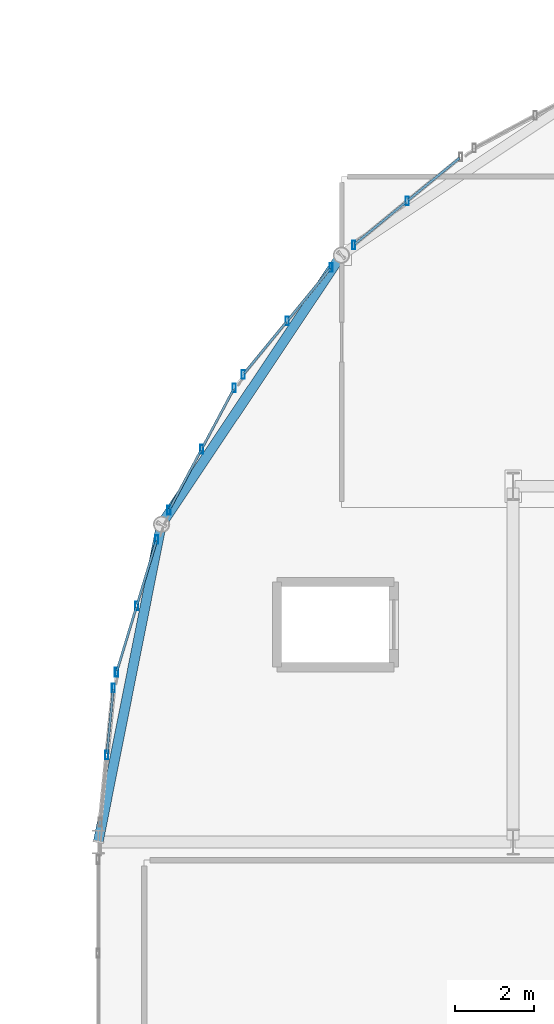
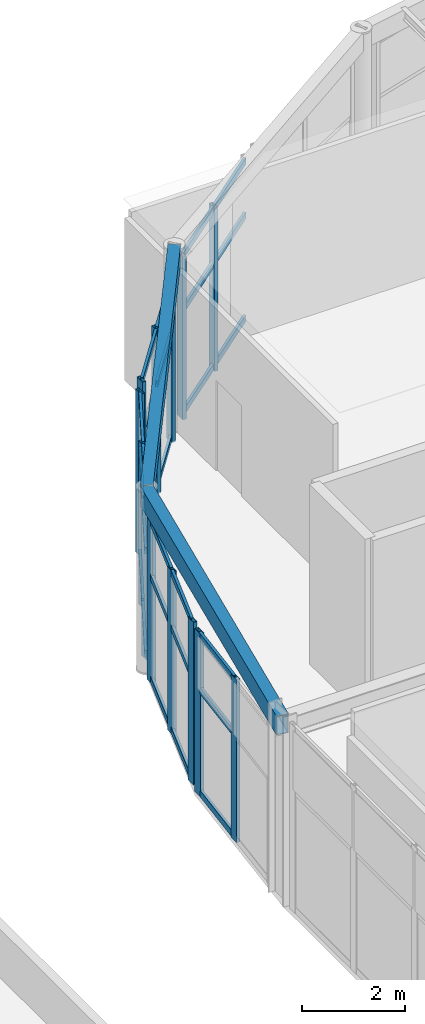
# One storey, part 34 of 105: 40 members, 2 beams, 5 elements without a shape of their own.
"""IFC4 building model written with IfcOpenShell, lengths in metres."""

from ifc_helpers import new_model, si_unit, direction, frame, origin, origin_2d, place, context, subcontext, project, spatial, hollow_rectangle, extrude, material, layer, layer_set, material_profile, profile_set, type_object, element, aggregate, save


model = new_model("IFC4")

# Units and contexts
model_context = context("Model", 3, precision=1e-05, world=origin(), true_north=direction((0.0, 1.0)))
body_context = subcontext(model_context, "Body", "Model", "MODEL_VIEW")
ifc_project = project(units=[si_unit("LENGTHUNIT", "METRE"), si_unit("AREAUNIT", "SQUARE_METRE"), si_unit("VOLUMEUNIT", "CUBIC_METRE"), si_unit("PLANEANGLEUNIT", "RADIAN"), si_unit("MASSUNIT", "GRAM", prefix="KILO")], contexts=[model_context])

# Site, building, storey
site_placement = place(None, origin())
site = spatial("IfcSite", under=ifc_project, at=site_placement, CompositionType="ELEMENT")
building_placement = place(site_placement, origin())
building = spatial("IfcBuilding", under=site, at=building_placement, Name="Marlcrest Central Station", CompositionType="ELEMENT")
storey_placement = place(building_placement, frame((0.0, 0.0, 15.0)))
storey = spatial("IfcBuildingStorey", under=building, at=storey_placement, Name="L03", CompositionType="ELEMENT", Elevation=15.0)

# Curtain wall, members
ifc_material_1 = material(Name="Anodised aluminium and hurricane laminated glass", Category="aluminium")
ifc_layer = layer(ifc_material_1, 0.219970703125, Name="CW-U1")
ifc_layer_set = layer_set([ifc_layer], Name="Anodised aluminium and hurricane laminated glass")
curtain_wall_type = type_object("IfcCurtainWallType", Name="CW-U1", PredefinedType="USERDEFINED", material=ifc_layer_set)
curtain_wall_1_placement = place(storey_placement, origin())
curtain_wall_1 = element("IfcCurtainWall", 1, at=curtain_wall_1_placement, inside=storey, type_object=curtain_wall_type, Name="cw-L03-0083", ObjectType="UNITISED_CURTAIN_WALL", PredefinedType="USERDEFINED")
ifc_material_2 = material(Name="Anodised aluminium 6063-T6", Category="aluminium")
ifc_material_profile_1 = material_profile(ifc_material_2, hollow_rectangle(XDim=0.080078125, YDim=0.219970703125, WallThickness=0.006103515625, at=origin_2d()), Name="AA-RHS 220x80x6")
ifc_profile_set_1 = profile_set([ifc_material_profile_1], Name="Anodised aluminium 6063-T6")
member_type_1 = type_object("IfcMemberType", Name="ML-01", PredefinedType="MULLION", material=ifc_profile_set_1)
member_1_placement = place(storey_placement, frame((87.216552734375, 112.6953125, -0.030029296875), z_axis=(0.0, 0.0, 1.0), x_axis=(1.0, 0.0, 0.0)))
member_1 = element("IfcMember", 2, at=member_1_placement, type_object=member_type_1, Name="cw-L03-0083-ml-1", PredefinedType="MULLION", context=body_context, shape_type="SweptSolid", body=[
    extrude(hollow_rectangle(XDim=0.080078125, YDim=0.219970703125, WallThickness=0.006103515625, at=origin_2d()), origin(), (0.0, 0.0, 1.0), 3.860107421875),
])
member_2_placement = place(storey_placement, frame((87.3837890625, 114.39208984375, -0.030029296875), z_axis=(0.0, 0.0, 1.0), x_axis=(1.0, 0.0, 0.0)))
member_2 = element("IfcMember", 3, at=member_2_placement, type_object=member_type_1, Name="cw-L03-0083-ml-2", PredefinedType="MULLION", context=body_context, shape_type="SweptSolid", body=[
    extrude(hollow_rectangle(XDim=0.080078125, YDim=0.219970703125, WallThickness=0.006103515625, at=origin_2d()), origin(), (0.0, 0.0, 1.0), 3.860107421875),
])

curtain_wall_2_placement = place(storey_placement, origin())
curtain_wall_2 = element("IfcCurtainWall", 4, at=curtain_wall_2_placement, inside=storey, type_object=curtain_wall_type, Name="cw-L03-0084", ObjectType="UNITISED_CURTAIN_WALL", PredefinedType="USERDEFINED")
member_3_placement = place(storey_placement, frame((87.463623046875, 114.7939453125, -0.030029296875), z_axis=(0.0, 0.0, 1.0), x_axis=(1.0, 0.0, 0.0)))
member_3 = element("IfcMember", 5, at=member_3_placement, type_object=member_type_1, Name="cw-L03-0084-ml-0", PredefinedType="MULLION", context=body_context, shape_type="SweptSolid", body=[
    extrude(hollow_rectangle(XDim=0.080078125, YDim=0.219970703125, WallThickness=0.006103515625, at=origin_2d()), origin(), (0.0, 0.0, 1.0), 3.860107421875),
])
member_4_placement = place(storey_placement, frame((87.97265625, 116.4716796875, -0.030029296875), z_axis=(0.0, 0.0, 1.0), x_axis=(1.0, 0.0, 0.0)))
member_4 = element("IfcMember", 6, at=member_4_placement, type_object=member_type_1, Name="cw-L03-0084-ml-1", PredefinedType="MULLION", context=body_context, shape_type="SweptSolid", body=[
    extrude(hollow_rectangle(XDim=0.080078125, YDim=0.219970703125, WallThickness=0.006103515625, at=origin_2d()), origin(), (0.0, 0.0, 1.0), 3.860107421875),
])
member_5_placement = place(storey_placement, frame((88.481689453125, 118.1494140625, -0.030029296875), z_axis=(0.0, 0.0, 1.0), x_axis=(1.0, 0.0, 0.0)))
member_5 = element("IfcMember", 7, at=member_5_placement, type_object=member_type_1, Name="cw-L03-0084-ml-2", PredefinedType="MULLION", context=body_context, shape_type="SweptSolid", body=[
    extrude(hollow_rectangle(XDim=0.080078125, YDim=0.219970703125, WallThickness=0.006103515625, at=origin_2d()), origin(), (0.0, 0.0, 1.0), 3.860107421875),
])

curtain_wall_3_placement = place(storey_placement, origin())
curtain_wall_3 = element("IfcCurtainWall", 8, at=curtain_wall_3_placement, inside=storey, type_object=curtain_wall_type, Name="cw-L03-0085", ObjectType="UNITISED_CURTAIN_WALL", PredefinedType="USERDEFINED")
member_6_placement = place(storey_placement, frame((88.789306640625, 118.892333984375, -0.030029296875), z_axis=(0.0, 0.0, 1.0), x_axis=(1.0, 0.0, 0.0)))
member_6 = element("IfcMember", 9, at=member_6_placement, type_object=member_type_1, Name="cw-L03-0085-ml-0", PredefinedType="MULLION", context=body_context, shape_type="SweptSolid", body=[
    extrude(hollow_rectangle(XDim=0.080078125, YDim=0.219970703125, WallThickness=0.006103515625, at=origin_2d()), origin(), (0.0, 0.0, 1.0), 3.860107421875),
])
member_7_placement = place(storey_placement, frame((89.61572265625, 120.43896484375, -0.030029296875), z_axis=(0.0, 0.0, 1.0), x_axis=(1.0, 0.0, 0.0)))
member_7 = element("IfcMember", 10, at=member_7_placement, type_object=member_type_1, Name="cw-L03-0085-ml-1", PredefinedType="MULLION", context=body_context, shape_type="SweptSolid", body=[
    extrude(hollow_rectangle(XDim=0.080078125, YDim=0.219970703125, WallThickness=0.006103515625, at=origin_2d()), origin(), (0.0, 0.0, 1.0), 3.860107421875),
])
member_8_placement = place(storey_placement, frame((90.44189453125, 121.985595703125, -0.030029296875), z_axis=(0.0, 0.0, 1.0), x_axis=(1.0, 0.0, 0.0)))
member_8 = element("IfcMember", 11, at=member_8_placement, type_object=member_type_1, Name="cw-L03-0085-ml-2", PredefinedType="MULLION", context=body_context, shape_type="SweptSolid", body=[
    extrude(hollow_rectangle(XDim=0.080078125, YDim=0.219970703125, WallThickness=0.006103515625, at=origin_2d()), origin(), (0.0, 0.0, 1.0), 3.860107421875),
])

curtain_wall_4_placement = place(storey_placement, origin())
curtain_wall_4 = element("IfcCurtainWall", 12, at=curtain_wall_4_placement, inside=storey, type_object=curtain_wall_type, Name="cw-L03-0086", ObjectType="UNITISED_CURTAIN_WALL", PredefinedType="USERDEFINED")
member_9_placement = place(storey_placement, frame((90.669677734375, 122.326171875, -0.030029296875), z_axis=(0.0, 0.0, 1.0), x_axis=(1.0, 0.0, 0.0)))
member_9 = element("IfcMember", 13, at=member_9_placement, type_object=member_type_1, Name="cw-L03-0086-ml-0", PredefinedType="MULLION", context=body_context, shape_type="SweptSolid", body=[
    extrude(hollow_rectangle(XDim=0.080078125, YDim=0.219970703125, WallThickness=0.006103515625, at=origin_2d()), origin(), (0.0, 0.0, 1.0), 3.860107421875),
])
member_10_placement = place(storey_placement, frame((91.781982421875, 123.681396484375, -0.030029296875), z_axis=(0.0, 0.0, 1.0), x_axis=(1.0, 0.0, 0.0)))
member_10 = element("IfcMember", 14, at=member_10_placement, type_object=member_type_1, Name="cw-L03-0086-ml-1", PredefinedType="MULLION", context=body_context, shape_type="SweptSolid", body=[
    extrude(hollow_rectangle(XDim=0.080078125, YDim=0.219970703125, WallThickness=0.006103515625, at=origin_2d()), origin(), (0.0, 0.0, 1.0), 3.860107421875),
])
member_11_placement = place(storey_placement, frame((92.89453125, 125.03662109375, -0.030029296875), z_axis=(0.0, 0.0, 1.0), x_axis=(1.0, 0.0, 0.0)))
member_11 = element("IfcMember", 15, at=member_11_placement, type_object=member_type_1, Name="cw-L03-0086-ml-2", PredefinedType="MULLION", context=body_context, shape_type="SweptSolid", body=[
    extrude(hollow_rectangle(XDim=0.080078125, YDim=0.219970703125, WallThickness=0.006103515625, at=origin_2d()), origin(), (0.0, 0.0, 1.0), 3.860107421875),
])

curtain_wall_5_placement = place(storey_placement, origin())
curtain_wall_5 = element("IfcCurtainWall", 16, at=curtain_wall_5_placement, inside=storey, type_object=curtain_wall_type, Name="cw-L03-0087", ObjectType="UNITISED_CURTAIN_WALL", PredefinedType="USERDEFINED")
member_12_placement = place(storey_placement, frame((93.46337890625, 125.60546875, -0.030029296875), z_axis=(0.0, 0.0, 1.0), x_axis=(1.0, 0.0, 0.0)))
member_12 = element("IfcMember", 17, at=member_12_placement, type_object=member_type_1, Name="cw-L03-0087-ml-0", PredefinedType="MULLION", context=body_context, shape_type="SweptSolid", body=[
    extrude(hollow_rectangle(XDim=0.080078125, YDim=0.219970703125, WallThickness=0.006103515625, at=origin_2d()), origin(), (0.0, 0.0, 1.0), 3.860107421875),
])
member_13_placement = place(storey_placement, frame((94.818603515625, 126.718017578125, -0.030029296875), z_axis=(0.0, 0.0, 1.0), x_axis=(1.0, 0.0, 0.0)))
member_13 = element("IfcMember", 18, at=member_13_placement, type_object=member_type_1, Name="cw-L03-0087-ml-1", PredefinedType="MULLION", context=body_context, shape_type="SweptSolid", body=[
    extrude(hollow_rectangle(XDim=0.080078125, YDim=0.219970703125, WallThickness=0.006103515625, at=origin_2d()), origin(), (0.0, 0.0, 1.0), 3.860107421875),
])

# Beams
ifc_material_3 = material(Name="Steel S355", Category="steel")
ifc_material_profile_2 = material_profile(ifc_material_3, hollow_rectangle(XDim=0.25, YDim=0.449951171875, WallThickness=0.01611328125, at=origin_2d()), Name="RHS 450x250x16")
ifc_profile_set_2 = profile_set([ifc_material_profile_2], Name="Steel S355")
beam_type = type_object("IfcBeamType", Name="SP-02", PredefinedType="SPANDREL", material=ifc_profile_set_2)
beam_1_placement = place(storey_placement, frame((87.0, 110.5, 4.10009765625), z_axis=(0.19517056122, 0.980769316421, 0.0), x_axis=(-0.980769316421, 0.19517056122, 0.0)))
element("IfcBeam", 19, at=beam_1_placement, inside=storey, type_object=beam_type, Name="bm-SP-02-L03-01518", PredefinedType="SPANDREL", context=body_context, shape_type="SweptSolid", body=[
    extrude(hollow_rectangle(XDim=0.25, YDim=0.449951171875, WallThickness=0.01611328125, at=origin_2d()), origin(), (0.0, 0.0, 1.0), 8.193359375),
])
beam_2_placement = place(storey_placement, frame((88.59912109375, 118.535888671875, 4.10009765625), z_axis=(0.55551129271, 0.831508991937, 0.0), x_axis=(-0.831508991937, 0.55551129271, 0.0)))
element("IfcBeam", 20, at=beam_2_placement, inside=storey, type_object=beam_type, Name="bm-SP-02-L03-01519", PredefinedType="SPANDREL", context=body_context, shape_type="SweptSolid", body=[
    extrude(hollow_rectangle(XDim=0.25, YDim=0.449951171875, WallThickness=0.01611328125, at=origin_2d()), origin(), (0.0, 0.0, 1.0), 8.19384765625),
])

# Member
ifc_material_profile_3 = material_profile(ifc_material_2, hollow_rectangle(XDim=0.06005859375, YDim=0.14990234375, WallThickness=0.00390625, at=origin_2d()), Name="AA-RHS 150x60x4")
ifc_profile_set_3 = profile_set([ifc_material_profile_3], Name="Anodised aluminium 6063-T6")
member_type_2 = type_object("IfcMemberType", Name="TR-01", PredefinedType="USERDEFINED", material=ifc_profile_set_3)
member_14_placement = place(storey_placement, frame((87.22021484375, 112.733154296875, 0.0400390625), z_axis=(0.0981681098, 0.995169845915, 0.0), x_axis=(-0.995169845915, 0.0981681098, 0.0)))
member_14 = element("IfcMember", 21, at=member_14_placement, type_object=member_type_2, Name="cw-L03-0083-tr-1-sill", ObjectType="TRANSOM", PredefinedType="USERDEFINED", context=body_context, shape_type="SweptSolid", body=[
    extrude(hollow_rectangle(XDim=0.06005859375, YDim=0.14990234375, WallThickness=0.00390625, at=origin_2d()), origin(), (0.0, 0.0, 1.0), 1.62890625),
])

member_15_placement = place(storey_placement, frame((87.22021484375, 112.733154296875, 2.469970703125), z_axis=(0.0981681098, 0.995169845915, 0.0), x_axis=(-0.995169845915, 0.0981681098, 0.0)))
member_15 = element("IfcMember", 22, at=member_15_placement, type_object=member_type_2, Name="cw-L03-0083-tr-1-mid", ObjectType="TRANSOM", PredefinedType="USERDEFINED", context=body_context, shape_type="SweptSolid", body=[
    extrude(hollow_rectangle(XDim=0.06005859375, YDim=0.14990234375, WallThickness=0.00390625, at=origin_2d()), origin(), (0.0, 0.0, 1.0), 1.62890625),
])

member_16_placement = place(storey_placement, frame((87.22021484375, 112.733154296875, 3.760009765625), z_axis=(0.0981681098, 0.995169845915, 0.0), x_axis=(-0.995169845915, 0.0981681098, 0.0)))
member_16 = element("IfcMember", 23, at=member_16_placement, type_object=member_type_2, Name="cw-L03-0083-tr-1-head", ObjectType="TRANSOM", PredefinedType="USERDEFINED", context=body_context, shape_type="SweptSolid", body=[
    extrude(hollow_rectangle(XDim=0.06005859375, YDim=0.14990234375, WallThickness=0.00390625, at=origin_2d()), origin(), (0.0, 0.0, 1.0), 1.62890625),
])

aggregate(curtain_wall_1, [member_1, member_2, member_14, member_15, member_16])

member_17_placement = place(storey_placement, frame((87.474853515625, 114.830322265625, 0.0400390625), z_axis=(0.29025787087, 0.95694846695, 0.0), x_axis=(-0.95694846695, 0.29025787087, 0.0)))
member_17 = element("IfcMember", 24, at=member_17_placement, type_object=member_type_2, Name="cw-L03-0084-tr-0-sill", ObjectType="TRANSOM", PredefinedType="USERDEFINED", context=body_context, shape_type="SweptSolid", body=[
    extrude(hollow_rectangle(XDim=0.06005859375, YDim=0.14990234375, WallThickness=0.00390625, at=origin_2d()), origin(), (0.0, 0.0, 1.0), 1.67724609375),
])

member_18_placement = place(storey_placement, frame((87.474853515625, 114.830322265625, 2.469970703125), z_axis=(0.29025787087, 0.95694846695, 0.0), x_axis=(-0.95694846695, 0.29025787087, 0.0)))
member_18 = element("IfcMember", 25, at=member_18_placement, type_object=member_type_2, Name="cw-L03-0084-tr-0-mid", ObjectType="TRANSOM", PredefinedType="USERDEFINED", context=body_context, shape_type="SweptSolid", body=[
    extrude(hollow_rectangle(XDim=0.06005859375, YDim=0.14990234375, WallThickness=0.00390625, at=origin_2d()), origin(), (0.0, 0.0, 1.0), 1.67724609375),
])

member_19_placement = place(storey_placement, frame((87.474853515625, 114.830322265625, 3.760009765625), z_axis=(0.29025787087, 0.95694846695, 0.0), x_axis=(-0.95694846695, 0.29025787087, 0.0)))
member_19 = element("IfcMember", 26, at=member_19_placement, type_object=member_type_2, Name="cw-L03-0084-tr-0-head", ObjectType="TRANSOM", PredefinedType="USERDEFINED", context=body_context, shape_type="SweptSolid", body=[
    extrude(hollow_rectangle(XDim=0.06005859375, YDim=0.14990234375, WallThickness=0.00390625, at=origin_2d()), origin(), (0.0, 0.0, 1.0), 1.67724609375),
])

member_20_placement = place(storey_placement, frame((87.98388671875, 116.508056640625, 0.0400390625), z_axis=(0.29025787087, 0.95694846695, 0.0), x_axis=(-0.95694846695, 0.29025787087, 0.0)))
member_20 = element("IfcMember", 27, at=member_20_placement, type_object=member_type_2, Name="cw-L03-0084-tr-1-sill", ObjectType="TRANSOM", PredefinedType="USERDEFINED", context=body_context, shape_type="SweptSolid", body=[
    extrude(hollow_rectangle(XDim=0.06005859375, YDim=0.14990234375, WallThickness=0.00390625, at=origin_2d()), origin(), (0.0, 0.0, 1.0), 1.67724609375),
])

member_21_placement = place(storey_placement, frame((87.98388671875, 116.508056640625, 2.469970703125), z_axis=(0.29025787087, 0.95694846695, 0.0), x_axis=(-0.95694846695, 0.29025787087, 0.0)))
member_21 = element("IfcMember", 28, at=member_21_placement, type_object=member_type_2, Name="cw-L03-0084-tr-1-mid", ObjectType="TRANSOM", PredefinedType="USERDEFINED", context=body_context, shape_type="SweptSolid", body=[
    extrude(hollow_rectangle(XDim=0.06005859375, YDim=0.14990234375, WallThickness=0.00390625, at=origin_2d()), origin(), (0.0, 0.0, 1.0), 1.67724609375),
])

member_22_placement = place(storey_placement, frame((87.98388671875, 116.508056640625, 3.760009765625), z_axis=(0.29025787087, 0.95694846695, 0.0), x_axis=(-0.95694846695, 0.29025787087, 0.0)))
member_22 = element("IfcMember", 29, at=member_22_placement, type_object=member_type_2, Name="cw-L03-0084-tr-1-head", ObjectType="TRANSOM", PredefinedType="USERDEFINED", context=body_context, shape_type="SweptSolid", body=[
    extrude(hollow_rectangle(XDim=0.06005859375, YDim=0.14990234375, WallThickness=0.00390625, at=origin_2d()), origin(), (0.0, 0.0, 1.0), 1.67724609375),
])

aggregate(curtain_wall_2, [member_3, member_4, member_5, member_17, member_18, member_19, member_20, member_21, member_22])

member_23_placement = place(storey_placement, frame((88.807373046875, 118.92578125, 0.0400390625), z_axis=(0.471207478568, 0.882022398889, 0.0), x_axis=(-0.882022398889, 0.471207478568, 0.0)))
member_23 = element("IfcMember", 30, at=member_23_placement, type_object=member_type_2, Name="cw-L03-0085-tr-0-sill", ObjectType="TRANSOM", PredefinedType="USERDEFINED", context=body_context, shape_type="SweptSolid", body=[
    extrude(hollow_rectangle(XDim=0.06005859375, YDim=0.14990234375, WallThickness=0.00390625, at=origin_2d()), origin(), (0.0, 0.0, 1.0), 1.677734375),
])

member_24_placement = place(storey_placement, frame((88.807373046875, 118.92578125, 2.469970703125), z_axis=(0.471207478568, 0.882022398889, 0.0), x_axis=(-0.882022398889, 0.471207478568, 0.0)))
member_24 = element("IfcMember", 31, at=member_24_placement, type_object=member_type_2, Name="cw-L03-0085-tr-0-mid", ObjectType="TRANSOM", PredefinedType="USERDEFINED", context=body_context, shape_type="SweptSolid", body=[
    extrude(hollow_rectangle(XDim=0.06005859375, YDim=0.14990234375, WallThickness=0.00390625, at=origin_2d()), origin(), (0.0, 0.0, 1.0), 1.677734375),
])

member_25_placement = place(storey_placement, frame((88.807373046875, 118.92578125, 3.760009765625), z_axis=(0.471207478568, 0.882022398889, 0.0), x_axis=(-0.882022398889, 0.471207478568, 0.0)))
member_25 = element("IfcMember", 32, at=member_25_placement, type_object=member_type_2, Name="cw-L03-0085-tr-0-head", ObjectType="TRANSOM", PredefinedType="USERDEFINED", context=body_context, shape_type="SweptSolid", body=[
    extrude(hollow_rectangle(XDim=0.06005859375, YDim=0.14990234375, WallThickness=0.00390625, at=origin_2d()), origin(), (0.0, 0.0, 1.0), 1.677734375),
])

member_26_placement = place(storey_placement, frame((89.633544921875, 120.472412109375, 0.0400390625), z_axis=(0.47126796736, 0.881990080976, 0.0), x_axis=(-0.881990080976, 0.47126796736, 0.0)))
member_26 = element("IfcMember", 33, at=member_26_placement, type_object=member_type_2, Name="cw-L03-0085-tr-1-sill", ObjectType="TRANSOM", PredefinedType="USERDEFINED", context=body_context, shape_type="SweptSolid", body=[
    extrude(hollow_rectangle(XDim=0.06005859375, YDim=0.14990234375, WallThickness=0.00390625, at=origin_2d()), origin(), (0.0, 0.0, 1.0), 1.677490234375),
])

member_27_placement = place(storey_placement, frame((89.633544921875, 120.472412109375, 2.469970703125), z_axis=(0.47126796736, 0.881990080976, 0.0), x_axis=(-0.881990080976, 0.47126796736, 0.0)))
member_27 = element("IfcMember", 34, at=member_27_placement, type_object=member_type_2, Name="cw-L03-0085-tr-1-mid", ObjectType="TRANSOM", PredefinedType="USERDEFINED", context=body_context, shape_type="SweptSolid", body=[
    extrude(hollow_rectangle(XDim=0.06005859375, YDim=0.14990234375, WallThickness=0.00390625, at=origin_2d()), origin(), (0.0, 0.0, 1.0), 1.677490234375),
])

member_28_placement = place(storey_placement, frame((89.633544921875, 120.472412109375, 3.760009765625), z_axis=(0.47126796736, 0.881990080976, 0.0), x_axis=(-0.881990080976, 0.47126796736, 0.0)))
member_28 = element("IfcMember", 35, at=member_28_placement, type_object=member_type_2, Name="cw-L03-0085-tr-1-head", ObjectType="TRANSOM", PredefinedType="USERDEFINED", context=body_context, shape_type="SweptSolid", body=[
    extrude(hollow_rectangle(XDim=0.06005859375, YDim=0.14990234375, WallThickness=0.00390625, at=origin_2d()), origin(), (0.0, 0.0, 1.0), 1.677490234375),
])

aggregate(curtain_wall_3, [member_6, member_7, member_8, member_23, member_24, member_25, member_26, member_27, member_28])

member_29_placement = place(storey_placement, frame((90.693603515625, 122.35546875, 0.0400390625), z_axis=(0.634512842936, 0.772912318539, 0.0), x_axis=(-0.772912318539, 0.634512842936, 0.0)))
member_29 = element("IfcMember", 36, at=member_29_placement, type_object=member_type_2, Name="cw-L03-0086-tr-0-sill", ObjectType="TRANSOM", PredefinedType="USERDEFINED", context=body_context, shape_type="SweptSolid", body=[
    extrude(hollow_rectangle(XDim=0.06005859375, YDim=0.14990234375, WallThickness=0.00390625, at=origin_2d()), origin(), (0.0, 0.0, 1.0), 1.677490234375),
])

member_30_placement = place(storey_placement, frame((90.693603515625, 122.35546875, 2.469970703125), z_axis=(0.634512842936, 0.772912318539, 0.0), x_axis=(-0.772912318539, 0.634512842936, 0.0)))
member_30 = element("IfcMember", 37, at=member_30_placement, type_object=member_type_2, Name="cw-L03-0086-tr-0-mid", ObjectType="TRANSOM", PredefinedType="USERDEFINED", context=body_context, shape_type="SweptSolid", body=[
    extrude(hollow_rectangle(XDim=0.06005859375, YDim=0.14990234375, WallThickness=0.00390625, at=origin_2d()), origin(), (0.0, 0.0, 1.0), 1.677490234375),
])

member_31_placement = place(storey_placement, frame((90.693603515625, 122.35546875, 3.760009765625), z_axis=(0.634512842936, 0.772912318539, 0.0), x_axis=(-0.772912318539, 0.634512842936, 0.0)))
member_31 = element("IfcMember", 38, at=member_31_placement, type_object=member_type_2, Name="cw-L03-0086-tr-0-head", ObjectType="TRANSOM", PredefinedType="USERDEFINED", context=body_context, shape_type="SweptSolid", body=[
    extrude(hollow_rectangle(XDim=0.06005859375, YDim=0.14990234375, WallThickness=0.00390625, at=origin_2d()), origin(), (0.0, 0.0, 1.0), 1.677490234375),
])

member_32_placement = place(storey_placement, frame((91.80615234375, 123.710693359375, 0.0400390625), z_axis=(0.634512842936, 0.772912318539, 0.0), x_axis=(-0.772912318539, 0.634512842936, 0.0)))
member_32 = element("IfcMember", 39, at=member_32_placement, type_object=member_type_2, Name="cw-L03-0086-tr-1-sill", ObjectType="TRANSOM", PredefinedType="USERDEFINED", context=body_context, shape_type="SweptSolid", body=[
    extrude(hollow_rectangle(XDim=0.06005859375, YDim=0.14990234375, WallThickness=0.00390625, at=origin_2d()), origin(), (0.0, 0.0, 1.0), 1.677490234375),
])

member_33_placement = place(storey_placement, frame((91.80615234375, 123.710693359375, 2.469970703125), z_axis=(0.634512842936, 0.772912318539, 0.0), x_axis=(-0.772912318539, 0.634512842936, 0.0)))
member_33 = element("IfcMember", 40, at=member_33_placement, type_object=member_type_2, Name="cw-L03-0086-tr-1-mid", ObjectType="TRANSOM", PredefinedType="USERDEFINED", context=body_context, shape_type="SweptSolid", body=[
    extrude(hollow_rectangle(XDim=0.06005859375, YDim=0.14990234375, WallThickness=0.00390625, at=origin_2d()), origin(), (0.0, 0.0, 1.0), 1.677490234375),
])

member_34_placement = place(storey_placement, frame((91.80615234375, 123.710693359375, 3.760009765625), z_axis=(0.634512842936, 0.772912318539, 0.0), x_axis=(-0.772912318539, 0.634512842936, 0.0)))
member_34 = element("IfcMember", 41, at=member_34_placement, type_object=member_type_2, Name="cw-L03-0086-tr-1-head", ObjectType="TRANSOM", PredefinedType="USERDEFINED", context=body_context, shape_type="SweptSolid", body=[
    extrude(hollow_rectangle(XDim=0.06005859375, YDim=0.14990234375, WallThickness=0.00390625, at=origin_2d()), origin(), (0.0, 0.0, 1.0), 1.677490234375),
])

aggregate(curtain_wall_4, [member_9, member_10, member_11, member_29, member_30, member_31, member_32, member_33, member_34])

member_35_placement = place(storey_placement, frame((93.49267578125, 125.62939453125, 0.0400390625), z_axis=(0.772912318539, 0.634512842936, 0.0), x_axis=(-0.634512842936, 0.772912318539, 0.0)))
member_35 = element("IfcMember", 42, at=member_35_placement, type_object=member_type_2, Name="cw-L03-0087-tr-0-sill", ObjectType="TRANSOM", PredefinedType="USERDEFINED", context=body_context, shape_type="SweptSolid", body=[
    extrude(hollow_rectangle(XDim=0.06005859375, YDim=0.14990234375, WallThickness=0.00390625, at=origin_2d()), origin(), (0.0, 0.0, 1.0), 1.677490234375),
])

member_36_placement = place(storey_placement, frame((93.49267578125, 125.62939453125, 2.469970703125), z_axis=(0.772912318539, 0.634512842936, 0.0), x_axis=(-0.634512842936, 0.772912318539, 0.0)))
member_36 = element("IfcMember", 43, at=member_36_placement, type_object=member_type_2, Name="cw-L03-0087-tr-0-mid", ObjectType="TRANSOM", PredefinedType="USERDEFINED", context=body_context, shape_type="SweptSolid", body=[
    extrude(hollow_rectangle(XDim=0.06005859375, YDim=0.14990234375, WallThickness=0.00390625, at=origin_2d()), origin(), (0.0, 0.0, 1.0), 1.677490234375),
])

member_37_placement = place(storey_placement, frame((93.49267578125, 125.62939453125, 3.760009765625), z_axis=(0.772912318539, 0.634512842936, 0.0), x_axis=(-0.634512842936, 0.772912318539, 0.0)))
member_37 = element("IfcMember", 44, at=member_37_placement, type_object=member_type_2, Name="cw-L03-0087-tr-0-head", ObjectType="TRANSOM", PredefinedType="USERDEFINED", context=body_context, shape_type="SweptSolid", body=[
    extrude(hollow_rectangle(XDim=0.06005859375, YDim=0.14990234375, WallThickness=0.00390625, at=origin_2d()), origin(), (0.0, 0.0, 1.0), 1.677490234375),
])

member_38_placement = place(storey_placement, frame((94.847900390625, 126.741943359375, 0.0400390625), z_axis=(0.772912318539, 0.634512842936, 0.0), x_axis=(-0.634512842936, 0.772912318539, 0.0)))
member_38 = element("IfcMember", 45, at=member_38_placement, type_object=member_type_2, Name="cw-L03-0087-tr-1-sill", ObjectType="TRANSOM", PredefinedType="USERDEFINED", context=body_context, shape_type="SweptSolid", body=[
    extrude(hollow_rectangle(XDim=0.06005859375, YDim=0.14990234375, WallThickness=0.00390625, at=origin_2d()), origin(), (0.0, 0.0, 1.0), 1.677490234375),
])

member_39_placement = place(storey_placement, frame((94.847900390625, 126.741943359375, 2.469970703125), z_axis=(0.772912318539, 0.634512842936, 0.0), x_axis=(-0.634512842936, 0.772912318539, 0.0)))
member_39 = element("IfcMember", 46, at=member_39_placement, type_object=member_type_2, Name="cw-L03-0087-tr-1-mid", ObjectType="TRANSOM", PredefinedType="USERDEFINED", context=body_context, shape_type="SweptSolid", body=[
    extrude(hollow_rectangle(XDim=0.06005859375, YDim=0.14990234375, WallThickness=0.00390625, at=origin_2d()), origin(), (0.0, 0.0, 1.0), 1.677490234375),
])

member_40_placement = place(storey_placement, frame((94.847900390625, 126.741943359375, 3.760009765625), z_axis=(0.772912318539, 0.634512842936, 0.0), x_axis=(-0.634512842936, 0.772912318539, 0.0)))
member_40 = element("IfcMember", 47, at=member_40_placement, type_object=member_type_2, Name="cw-L03-0087-tr-1-head", ObjectType="TRANSOM", PredefinedType="USERDEFINED", context=body_context, shape_type="SweptSolid", body=[
    extrude(hollow_rectangle(XDim=0.06005859375, YDim=0.14990234375, WallThickness=0.00390625, at=origin_2d()), origin(), (0.0, 0.0, 1.0), 1.677490234375),
])

aggregate(curtain_wall_5, [member_12, member_13, member_35, member_36, member_37, member_38, member_39, member_40])

save(model, "model.ifc")
